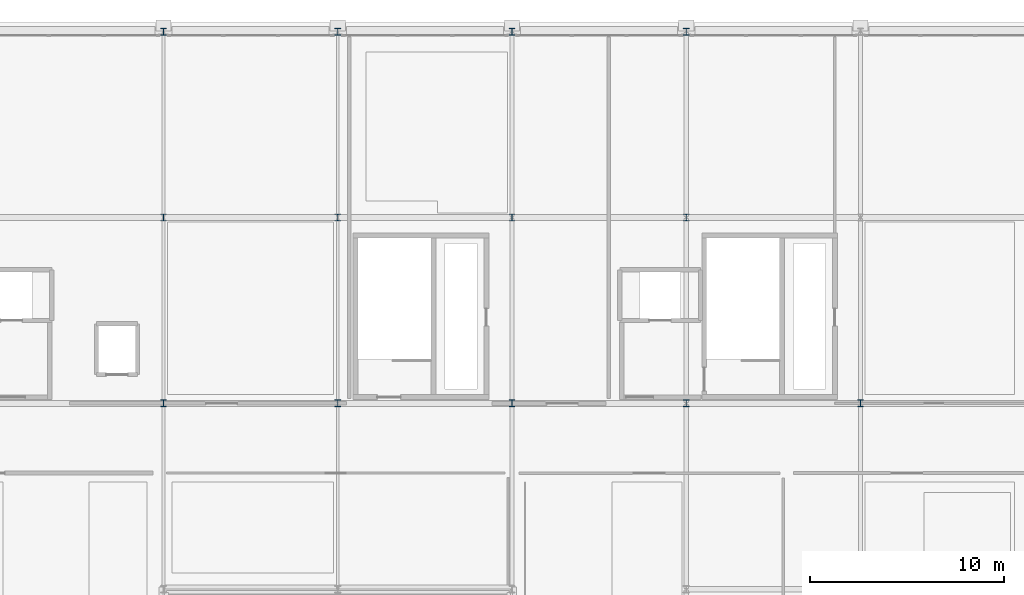
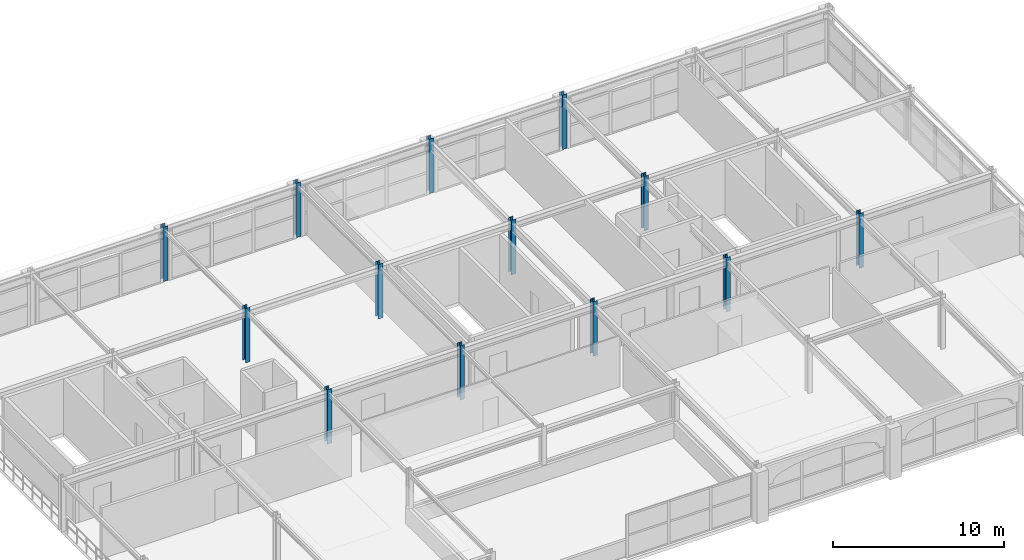
# One storey, part 7 of 25: 13 columns.
"""IFC4 building model written with IfcOpenShell, lengths in metres."""

from ifc_helpers import new_model, si_unit, direction, frame, origin, origin_2d, place, context, subcontext, project, spatial, i_section, extrude, material, material_profile, profile_set, type_object, element, save


model = new_model("IFC4")

# Units and contexts
model_context = context("Model", 3, precision=1e-05, world=origin(), true_north=direction((0.0, 1.0)))
body_context = subcontext(model_context, "Body", "Model", "MODEL_VIEW")
ifc_project = project(units=[si_unit("LENGTHUNIT", "METRE"), si_unit("AREAUNIT", "SQUARE_METRE"), si_unit("VOLUMEUNIT", "CUBIC_METRE"), si_unit("PLANEANGLEUNIT", "RADIAN"), si_unit("MASSUNIT", "GRAM", prefix="KILO")], contexts=[model_context])

# Site, building, storey
site_placement = place(None, origin())
site = spatial("IfcSite", under=ifc_project, at=site_placement, CompositionType="ELEMENT")
building_placement = place(site_placement, origin())
building = spatial("IfcBuilding", under=site, at=building_placement, Name="Myrtia Square Station", CompositionType="ELEMENT")
storey_placement = place(building_placement, frame((0.0, 0.0, 18.89990234375)))
storey = spatial("IfcBuildingStorey", under=building, at=storey_placement, Name="L04", CompositionType="ELEMENT", Elevation=18.89990234375)

# Columns
ifc_material = material(Name="Steel S355", Category="steel")
ifc_material_profile = material_profile(ifc_material, i_section(OverallWidth=0.300048828125, OverallDepth=0.360107421875, WebThickness=0.012451171875, FlangeThickness=0.0224609375, FilletRadius=0.027099609375, at=origin_2d()), Name="HEB 360")
ifc_profile_set = profile_set([ifc_material_profile], Name="Steel S355")
column_type = type_object("IfcColumnType", Name="COL-HEB360", PredefinedType="COLUMN", material=ifc_profile_set)
for number, where, z_axis, x_axis, name in (
    (1, (144.0, 105.60009765625, 0.0), (0.0, 0.0, 1.0), (1.0, 0.0, 0.0), "Column L04-0856"),
    (2, (144.0, 115.199951171875, 0.0), (0.0, 0.0, 1.0), (1.0, 0.0, 0.0), "Column L04-0862"),
    (3, (144.0, 124.800048828125, 0.0), (0.0, 0.0, 1.0), (1.0, 0.0, 0.0), "Column L04-0868"),
    (4, (153.0, 105.60009765625, 0.0), (0.0, 0.0, 1.0), (1.0, 0.0, 0.0), "Column L04-0885"),
    (5, (153.0, 115.199951171875, 0.0), (0.0, 0.0, 1.0), (1.0, 0.0, 0.0), "Column L04-0891"),
    (6, (153.0, 124.800048828125, 0.0), (0.0, 0.0, 1.0), (1.0, 0.0, 0.0), "Column L04-0897"),
    (7, (162.0, 105.60009765625, 0.0), (0.0, 0.0, 1.0), (1.0, 0.0, 0.0), "Column L04-0915"),
    (8, (162.0, 115.199951171875, 0.0), (0.0, 0.0, 1.0), (1.0, 0.0, 0.0), "Column L04-0921"),
    (9, (162.0, 124.800048828125, 0.0), (0.0, 0.0, 1.0), (1.0, 0.0, 0.0), "Column L04-0927"),
    (10, (171.0, 105.60009765625, 0.0), (0.0, 0.0, 1.0), (1.0, 0.0, 0.0), "Column L04-0945"),
    (11, (171.0, 115.199951171875, 0.0), (0.0, 0.0, 1.0), (1.0, 0.0, 0.0), "Column L04-0951"),
    (12, (171.0, 124.800048828125, 0.0), (0.0, 0.0, 1.0), (1.0, 0.0, 0.0), "Column L04-0957"),
    (13, (180.0, 105.60009765625, 0.0), (0.0, 0.0, 1.0), (1.0, 0.0, 0.0), "Column L04-0975"),
):
    element("IfcColumn", number, at=place(storey_placement, frame(where, z_axis=z_axis, x_axis=x_axis)), inside=storey, type_object=column_type, Name=name, PredefinedType="COLUMN", context=body_context, shape_type="SweptSolid", body=[
        extrude(i_section(OverallWidth=0.300048828125, OverallDepth=0.360107421875, WebThickness=0.012451171875, FlangeThickness=0.0224609375, FilletRadius=0.027099609375, at=origin_2d()), origin(), (0.0, 0.0, 1.0), 3.900146484375),
    ])

save(model, "model.ifc")
